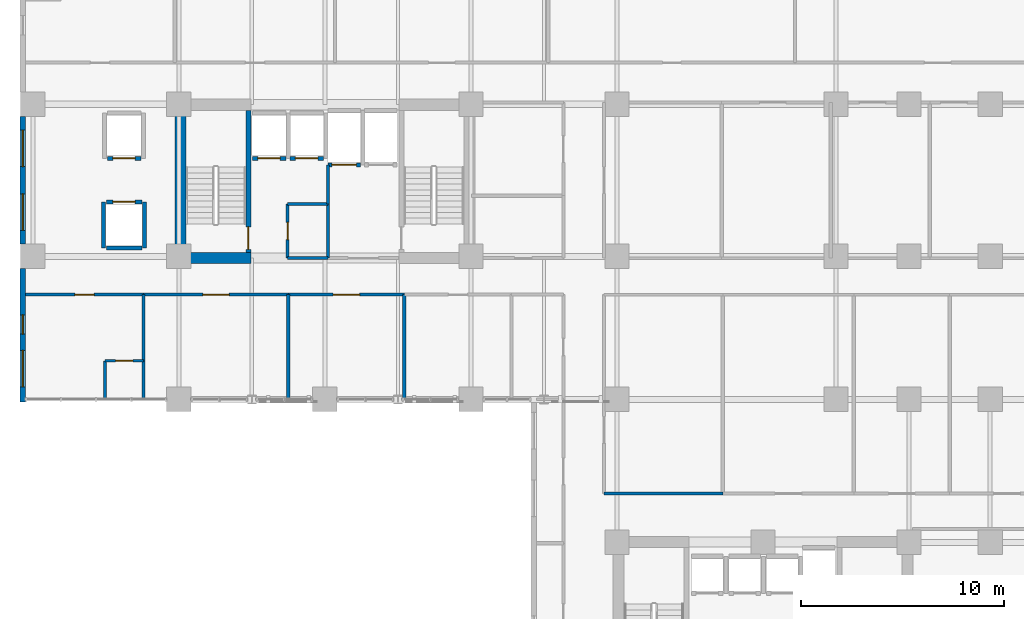
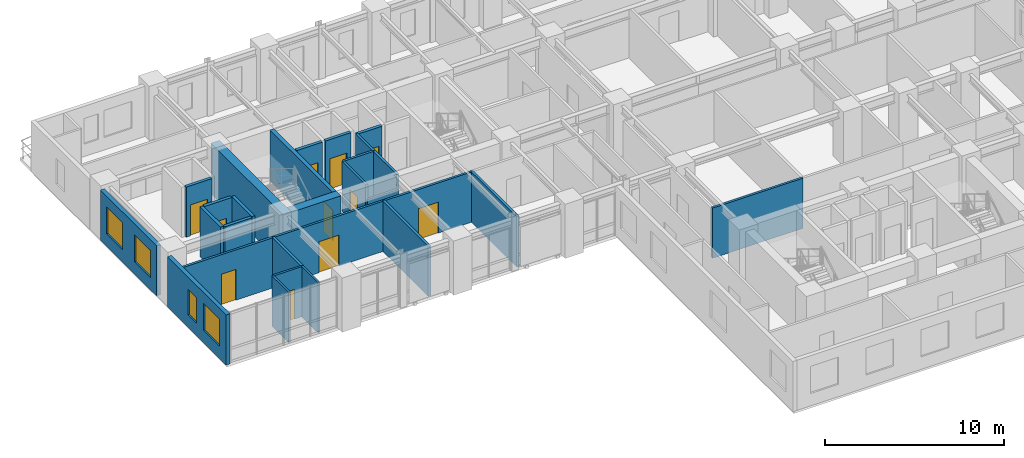
# One storey, part 8 of 16: 28 walls, 11 doors, 4 windows, 15 openings.
"""IFC4 building model written with IfcOpenShell, lengths in metres."""

from ifc_helpers import new_model, si_unit, direction, frame, frame_2d, origin, place, context, subcontext, project, spatial, rectangle, extrude, material, layer, layer_set, type_object, element, fill, save


model = new_model("IFC4")

# Units and contexts
model_context = context("Model", 3, precision=1e-05, world=origin(), true_north=direction((0.0, 1.0)))
body_context = subcontext(model_context, "Body", "Model", "MODEL_VIEW")
ifc_project = project(units=[si_unit("LENGTHUNIT", "METRE"), si_unit("AREAUNIT", "SQUARE_METRE"), si_unit("VOLUMEUNIT", "CUBIC_METRE"), si_unit("PLANEANGLEUNIT", "RADIAN"), si_unit("MASSUNIT", "GRAM", prefix="KILO")], contexts=[model_context])

# Site, building, storey
site_placement = place(None, origin())
site = spatial("IfcSite", under=ifc_project, at=site_placement, CompositionType="ELEMENT")
building_placement = place(site_placement, origin())
building = spatial("IfcBuilding", under=site, at=building_placement, Name="Kaliganga Portal Commons", CompositionType="ELEMENT")
storey_placement = place(building_placement, frame((0.0, 0.0, 97.10009765625)))
storey = spatial("IfcBuildingStorey", under=building, at=storey_placement, Name="L24", CompositionType="ELEMENT", Elevation=97.10009765625)

# Walls
ifc_material_1 = material(Name="Concrete C60/75", Category="concrete")
ifc_layer_1 = layer(ifc_material_1, 0.550048828125)
ifc_layer_set_1 = layer_set([ifc_layer_1], Name="Concrete C60/75")
wall_type_1 = type_object("IfcWallType", Name="WL-CORE-550", PredefinedType="SHEAR", material=ifc_layer_set_1)
wall_1_placement = place(storey_placement, frame((14.47509765625, 28.300048828125, 0.0), z_axis=(0.0, 0.0, 1.0), x_axis=(0.0, 1.0, 0.0)))
element("IfcWall", 1, at=wall_1_placement, inside=storey, type_object=wall_type_1, Name="Core A West Shear Wall L24", PredefinedType="SHEAR", context=body_context, shape_type="SweptSolid", body=[
    extrude(rectangle(XDim=8.099853515625, YDim=0.550048828125, at=frame_2d((4.0498046875, 0.0))), origin(), (0.0, 0.0, 1.0), 3.449951171875),
])
wall_2_placement = place(storey_placement, frame((14.75, 28.574951171875, 0.0), z_axis=(0.0, 0.0, 1.0), x_axis=(1.0, 0.0, 0.0)))
element("IfcWall", 2, at=wall_2_placement, inside=storey, type_object=wall_type_1, Name="Core A S-West Shear Wall L24", PredefinedType="SHEAR", context=body_context, shape_type="SweptSolid", body=[
    extrude(rectangle(XDim=3.199951171875, YDim=0.550048828125, at=frame_2d((1.60009765625, 0.0))), origin(), (0.0, 0.0, 1.0), 3.449951171875),
])

# Wall, openings, windows
ifc_material_2 = material(Name="Insulated Aluminium-Clad Spandrel Assembly", Category="aluminium")
ifc_layer_2 = layer(ifc_material_2, 0.260009765625)
ifc_layer_set_2 = layer_set([ifc_layer_2], Name="Insulated Aluminium-Clad Spandrel Assembly")
wall_type_2 = type_object("IfcWallType", Name="WL-EXT-SPAND-260", PredefinedType="STANDARD", material=ifc_layer_set_2)
wall_3_placement = place(storey_placement, frame((6.699951171875, 29.2509765625, 0.0), z_axis=(0.0, 0.0, 1.0), x_axis=(0.0, 1.0, 0.0)))
wall_3 = element("IfcWall", 3, at=wall_3_placement, inside=storey, type_object=wall_type_2, Name="Exterior Envelope Wall L24 P1-E03-S2", PredefinedType="STANDARD", context=body_context, shape_type="SweptSolid", body=[
    extrude(rectangle(XDim=6.298095703125, YDim=0.260009765625, at=frame_2d((3.14892578125, 0.0))), origin(), (0.0, 0.0, 1.0), 3.429931640625),
])
opening_1_placement = place(wall_3_placement, frame((0.674560546875, 0.0, 0.85009765625)))
opening_1 = element("IfcOpeningElement", 4, at=opening_1_placement, cuts=wall_3, Name="Opening W-01", PredefinedType="OPENING", context=body_context, shape_type="SweptSolid", body=[
    extrude(rectangle(XDim=1.800048828125, YDim=1.85009765625, at=frame_2d((0.89990234375, 0.925048828125))), frame((0.0, 0.14013671875, 0.0), z_axis=(0.0, -1.0, 0.0), x_axis=(1.0, 0.0, 0.0)), (0.0, 0.0, 1.0), 0.280029296875),
])
opening_2_placement = place(wall_3_placement, frame((3.823486328125, 0.0, 0.85009765625)))
opening_2 = element("IfcOpeningElement", 5, at=opening_2_placement, cuts=wall_3, Name="Opening W-01", PredefinedType="OPENING", context=body_context, shape_type="SweptSolid", body=[
    extrude(rectangle(XDim=1.800048828125, YDim=1.85009765625, at=frame_2d((0.89990234375, 0.925048828125))), frame((0.0, 0.14013671875, 0.0), z_axis=(0.0, -1.0, 0.0), x_axis=(1.0, 0.0, 0.0)), (0.0, 0.0, 1.0), 0.280029296875),
])
ifc_material_3 = material(Name="Thermally Broken Aluminium and Low-E Double Glazing", Category="aluminium")
window_type_1 = type_object("IfcWindowType", Name="WIN-STD-1800", PartitioningType="DOUBLE_PANEL_VERTICAL", PredefinedType="WINDOW", material=ifc_material_3)
window_1_placement = place(opening_1_placement, origin())
window_1 = element("IfcWindow", 6, at=window_1_placement, inside=storey, type_object=window_type_1, Name="Facade Window L24-P1E03S2-00", OverallHeight=1.85009765625, OverallWidth=1.800048828125, PartitioningType="SINGLE_PANEL", PredefinedType="WINDOW", context=body_context, shape_type="SweptSolid", body=[
    extrude(rectangle(XDim=1.800048828125, YDim=1.85009765625, at=frame_2d((0.89990234375, 0.925048828125))), frame((0.0, 0.030029296875, 0.0), z_axis=(0.0, -1.0, 0.0), x_axis=(1.0, 0.0, 0.0)), (0.0, 0.0, 1.0), 0.06005859375),
])
fill(opening_1, window_1)
window_2_placement = place(opening_2_placement, origin())
window_2 = element("IfcWindow", 7, at=window_2_placement, inside=storey, type_object=window_type_1, Name="Facade Window L24-P1E03S2-01", OverallHeight=1.85009765625, OverallWidth=1.800048828125, PartitioningType="SINGLE_PANEL", PredefinedType="WINDOW", context=body_context, shape_type="SweptSolid", body=[
    extrude(rectangle(XDim=1.800048828125, YDim=1.85009765625, at=frame_2d((0.89990234375, 0.925048828125))), frame((0.0, 0.030029296875, 0.0), z_axis=(0.0, -1.0, 0.0), x_axis=(1.0, 0.0, 0.0)), (0.0, 0.0, 1.0), 0.06005859375),
])
fill(opening_2, window_2)

wall_4_placement = place(storey_placement, frame((6.699951171875, 21.469970703125, 0.0), z_axis=(0.0, 0.0, 1.0), x_axis=(0.0, 1.0, 0.0)))
wall_4 = element("IfcWall", 8, at=wall_4_placement, inside=storey, type_object=wall_type_2, Name="Exterior Envelope Wall L24 P1-E03-S3", PredefinedType="STANDARD", context=body_context, shape_type="SweptSolid", body=[
    extrude(rectangle(XDim=6.5791015625, YDim=0.260009765625, at=frame_2d((3.28955078125, 0.0))), origin(), (0.0, 0.0, 1.0), 3.429931640625),
])
opening_3_placement = place(wall_4_placement, frame((0.744873046875, 0.0, 0.85009765625)))
opening_3 = element("IfcOpeningElement", 9, at=opening_3_placement, cuts=wall_4, Name="Opening W-01", PredefinedType="OPENING", context=body_context, shape_type="SweptSolid", body=[
    extrude(rectangle(XDim=1.800048828125, YDim=1.85009765625, at=frame_2d((0.89990234375, 0.925048828125))), frame((0.0, 0.14013671875, 0.0), z_axis=(0.0, -1.0, 0.0), x_axis=(1.0, 0.0, 0.0)), (0.0, 0.0, 1.0), 0.280029296875),
])
opening_4_placement = place(wall_4_placement, frame((3.3408203125, 0.0, 0.85009765625)))
opening_4 = element("IfcOpeningElement", 10, at=opening_4_placement, cuts=wall_4, Name="Opening W-04", PredefinedType="OPENING", context=body_context, shape_type="SweptSolid", body=[
    extrude(rectangle(XDim=0.949951171875, YDim=1.75, at=frame_2d((0.47509765625, 0.875))), frame((0.0, 0.14013671875, 0.0), z_axis=(0.0, -1.0, 0.0), x_axis=(1.0, 0.0, 0.0)), (0.0, 0.0, 1.0), 0.280029296875),
])
window_type_2 = type_object("IfcWindowType", Name="WIN-NARROW-950", PartitioningType="SINGLE_PANEL", PredefinedType="WINDOW", material=ifc_material_3)
window_3_placement = place(opening_4_placement, origin())
window_3 = element("IfcWindow", 11, at=window_3_placement, inside=storey, type_object=window_type_2, Name="Facade Window L24-P1E03S3-N6", OverallHeight=1.75, OverallWidth=0.949951171875, PartitioningType="SINGLE_PANEL", PredefinedType="WINDOW", context=body_context, shape_type="SweptSolid", body=[
    extrude(rectangle(XDim=0.949951171875, YDim=1.75, at=frame_2d((0.47509765625, 0.875))), frame((0.0, 0.030029296875, 0.0), z_axis=(0.0, -1.0, 0.0), x_axis=(1.0, 0.0, 0.0)), (0.0, 0.0, 1.0), 0.06005859375),
])
fill(opening_4, window_3)
window_4_placement = place(opening_3_placement, origin())
window_4 = element("IfcWindow", 12, at=window_4_placement, inside=storey, type_object=window_type_1, Name="Facade Window L24-P1E03S3-00", OverallHeight=1.85009765625, OverallWidth=1.800048828125, PartitioningType="SINGLE_PANEL", PredefinedType="WINDOW", context=body_context, shape_type="SweptSolid", body=[
    extrude(rectangle(XDim=1.800048828125, YDim=1.85009765625, at=frame_2d((0.89990234375, 0.925048828125))), frame((0.0, 0.030029296875, 0.0), z_axis=(0.0, -1.0, 0.0), x_axis=(1.0, 0.0, 0.0)), (0.0, 0.0, 1.0), 0.06005859375),
])
fill(opening_3, window_4)

# Wall, opening, door
ifc_material_4 = material(Name="Fire-Rated Gypsum Board on Steel Stud", Category="steel")
ifc_layer_3 = layer(ifc_material_4, 0.14990234375)
ifc_layer_set_3 = layer_set([ifc_layer_3], Name="Fire-Rated Gypsum Board on Steel Stud")
wall_type_3 = type_object("IfcWallType", Name="WL-PART-CORR-150", PredefinedType="PARTITIONING", material=ifc_layer_set_3)
wall_5_placement = place(storey_placement, frame((12.659912109375, 26.760009765625, 0.0), z_axis=(0.0, 0.0, 1.0), x_axis=(1.0, 0.0, 0.0)))
wall_5 = element("IfcWall", 13, at=wall_5_placement, inside=storey, type_object=wall_type_3, Name="Interior Partition L24-022", PredefinedType="PARTITIONING", context=body_context, shape_type="SweptSolid", body=[
    extrude(rectangle(XDim=7.14013671875, YDim=0.14990234375, at=frame_2d((3.570068359375, 0.0))), origin(), (0.0, 0.0, 1.0), 3.429931640625),
])
opening_5_placement = place(wall_5_placement, frame((2.919921875, 0.0, 0.0)))
opening_5 = element("IfcOpeningElement", 14, at=opening_5_placement, cuts=wall_5, Name="Opening RD-03", PredefinedType="OPENING", context=body_context, shape_type="SweptSolid", body=[
    extrude(rectangle(XDim=1.300048828125, YDim=2.1201171875, at=frame_2d((0.64990234375, 1.06005859375))), frame((0.0, 0.0849609375, 0.0), z_axis=(0.0, -1.0, 0.0), x_axis=(1.0, 0.0, 0.0)), (0.0, 0.0, 1.0), 0.169921875),
])
ifc_material_5 = material(Name="Glazed Timber Seminar Vision Door", Category="wood")
door_type_1 = type_object("IfcDoorType", Name="DR-STUDY-1300", OperationType="DOUBLE_DOOR_SINGLE_SWING", PredefinedType="DOOR", material=ifc_material_5)
door_1_placement = place(opening_5_placement, origin())
door_1 = element("IfcDoor", 15, at=door_1_placement, inside=storey, type_object=door_type_1, Name="Interior Door L24-AS02", OperationType="DOUBLE_DOOR_SINGLE_SWING", OverallHeight=2.1201171875, OverallWidth=1.300048828125, PredefinedType="DOOR", context=body_context, shape_type="SweptSolid", body=[
    extrude(rectangle(XDim=1.300048828125, YDim=2.1201171875, at=frame_2d((0.64990234375, 1.06005859375))), frame((0.0, 0.02490234375, 0.0), z_axis=(0.0, -1.0, 0.0), x_axis=(1.0, 0.0, 0.0)), (0.0, 0.0, 1.0), 0.050048828125),
])
fill(opening_5, door_1)

wall_6_placement = place(storey_placement, frame((6.83203125, 26.760009765625, 0.0), z_axis=(0.0, 0.0, 1.0), x_axis=(1.0, 0.0, 0.0)))
wall_6 = element("IfcWall", 16, at=wall_6_placement, inside=storey, type_object=wall_type_3, Name="Interior Partition L24-025", PredefinedType="PARTITIONING", context=body_context, shape_type="SweptSolid", body=[
    extrude(rectangle(XDim=5.827880859375, YDim=0.14990234375, at=frame_2d((2.9140625, 0.0))), origin(), (0.0, 0.0, 1.0), 3.429931640625),
])
opening_6_placement = place(wall_6_placement, frame((2.43896484375, 0.0, 0.0)))
opening_6 = element("IfcOpeningElement", 17, at=opening_6_placement, cuts=wall_6, Name="Opening UD-01", PredefinedType="OPENING", context=body_context, shape_type="SweptSolid", body=[
    extrude(rectangle(XDim=0.949951171875, YDim=2.10009765625, at=frame_2d((0.47509765625, 1.050048828125))), frame((0.0, 0.0849609375, 0.0), z_axis=(0.0, -1.0, 0.0), x_axis=(1.0, 0.0, 0.0)), (0.0, 0.0, 1.0), 0.169921875),
])
ifc_material_6 = material(Name="Solid-Core Timber Acoustic Fire Door", Category="wood")
door_type_2 = type_object("IfcDoorType", Name="DR-UNIT-950", OperationType="NOTDEFINED", PredefinedType="DOOR", material=ifc_material_6)
door_2_placement = place(opening_6_placement, origin())
door_2 = element("IfcDoor", 18, at=door_2_placement, inside=storey, type_object=door_type_2, Name="Interior Door L24-AS01", OperationType="SINGLE_SWING_LEFT", OverallHeight=2.10009765625, OverallWidth=0.949951171875, PredefinedType="DOOR", context=body_context, shape_type="SweptSolid", body=[
    extrude(rectangle(XDim=0.949951171875, YDim=2.10009765625, at=frame_2d((0.47509765625, 1.050048828125))), frame((0.0, 0.02490234375, 0.0), z_axis=(0.0, -1.0, 0.0), x_axis=(1.0, 0.0, 0.0)), (0.0, 0.0, 1.0), 0.050048828125),
])
fill(opening_6, door_2)

# Wall
wall_7_placement = place(storey_placement, frame((35.360107421875, 16.9599609375, 0.0), z_axis=(0.0, 0.0, 1.0), x_axis=(1.0, 0.0, 0.0)))
element("IfcWall", 19, at=wall_7_placement, inside=storey, type_object=wall_type_3, Name="Interior Partition L24-026", PredefinedType="PARTITIONING", context=body_context, shape_type="SweptSolid", body=[
    extrude(rectangle(XDim=5.85986328125, YDim=0.14990234375, at=frame_2d((2.929931640625, 0.0))), origin(), (0.0, 0.0, 1.0), 3.429931640625),
])

# Wall, opening, door
wall_8_placement = place(storey_placement, frame((19.800048828125, 26.760009765625, 0.0), z_axis=(0.0, 0.0, 1.0), x_axis=(1.0, 0.0, 0.0)))
wall_8 = element("IfcWall", 20, at=wall_8_placement, inside=storey, type_object=wall_type_3, Name="Interior Partition L24-028", PredefinedType="PARTITIONING", context=body_context, shape_type="SweptSolid", body=[
    extrude(rectangle(XDim=5.719970703125, YDim=0.14990234375, at=frame_2d((2.85986328125, 0.0))), origin(), (0.0, 0.0, 1.0), 3.429931640625),
])
opening_7_placement = place(wall_8_placement, frame((2.2099609375, 0.0, 0.0)))
opening_7 = element("IfcOpeningElement", 21, at=opening_7_placement, cuts=wall_8, Name="Opening RD-03", PredefinedType="OPENING", context=body_context, shape_type="SweptSolid", body=[
    extrude(rectangle(XDim=1.300048828125, YDim=2.1201171875, at=frame_2d((0.64990234375, 1.06005859375))), frame((0.0, 0.0849609375, 0.0), z_axis=(0.0, -1.0, 0.0), x_axis=(1.0, 0.0, 0.0)), (0.0, 0.0, 1.0), 0.169921875),
])
door_3_placement = place(opening_7_placement, origin())
door_3 = element("IfcDoor", 22, at=door_3_placement, inside=storey, type_object=door_type_1, Name="Interior Door L24-AS03", OperationType="DOUBLE_DOOR_SINGLE_SWING", OverallHeight=2.1201171875, OverallWidth=1.300048828125, PredefinedType="DOOR", context=body_context, shape_type="SweptSolid", body=[
    extrude(rectangle(XDim=1.300048828125, YDim=2.1201171875, at=frame_2d((0.64990234375, 1.06005859375))), frame((0.0, 0.02490234375, 0.0), z_axis=(0.0, -1.0, 0.0), x_axis=(1.0, 0.0, 0.0)), (0.0, 0.0, 1.0), 0.050048828125),
])
fill(opening_7, door_3)

wall_9_placement = place(storey_placement, frame((19.760009765625, 28.56005859375, 0.0), z_axis=(0.0, 0.0, 1.0), x_axis=(0.0, 1.0, 0.0)))
wall_9 = element("IfcWall", 23, at=wall_9_placement, inside=storey, type_object=wall_type_3, Name="Interior Partition L24-040", PredefinedType="PARTITIONING", context=body_context, shape_type="SweptSolid", body=[
    extrude(rectangle(XDim=2.679931640625, YDim=0.14990234375, at=frame_2d((1.33984375, 0.0))), origin(), (0.0, 0.0, 1.0), 3.429931640625),
])
opening_8_placement = place(wall_9_placement, frame((0.909912109375, 0.0, 0.0)))
opening_8 = element("IfcOpeningElement", 24, at=opening_8_placement, cuts=wall_9, Name="Opening WD-02", PredefinedType="OPENING", context=body_context, shape_type="SweptSolid", body=[
    extrude(rectangle(XDim=0.860107421875, YDim=2.02001953125, at=frame_2d((0.43017578125, 1.010009765625))), frame((0.0, 0.0849609375, 0.0), z_axis=(0.0, -1.0, 0.0), x_axis=(1.0, 0.0, 0.0)), (0.0, 0.0, 1.0), 0.169921875),
])
ifc_material_7 = material(Name="Fire-Rated Utility Closet Door", Category="wood")
door_type_3 = type_object("IfcDoorType", Name="DR-STORE-800", OperationType="NOTDEFINED", PredefinedType="DOOR", material=ifc_material_7)
door_4_placement = place(opening_8_placement, origin())
door_4 = element("IfcDoor", 25, at=door_4_placement, inside=storey, type_object=door_type_3, Name="Interior Door L24-CIN_A1", OperationType="SINGLE_SWING_LEFT", OverallHeight=2.02001953125, OverallWidth=0.860107421875, PredefinedType="DOOR", context=body_context, shape_type="SweptSolid", body=[
    extrude(rectangle(XDim=0.860107421875, YDim=2.02001953125, at=frame_2d((0.43017578125, 1.010009765625))), frame((0.0, 0.02490234375, 0.0), z_axis=(0.0, -1.0, 0.0), x_axis=(1.0, 0.0, 0.0)), (0.0, 0.0, 1.0), 0.050048828125),
])
fill(opening_8, door_4)

# Walls
wall_10_placement = place(storey_placement, frame((21.760009765625, 28.56005859375, 0.0), z_axis=(0.0, 0.0, 1.0), x_axis=(0.0, 1.0, 0.0)))
element("IfcWall", 26, at=wall_10_placement, inside=storey, type_object=wall_type_3, Name="Interior Partition L24-041", PredefinedType="PARTITIONING", context=body_context, shape_type="SweptSolid", body=[
    extrude(rectangle(XDim=2.679931640625, YDim=0.14990234375, at=frame_2d((1.33984375, 0.0))), origin(), (0.0, 0.0, 1.0), 3.429931640625),
])
wall_11_placement = place(storey_placement, frame((19.760009765625, 28.56005859375, 0.0), z_axis=(0.0, 0.0, 1.0), x_axis=(1.0, 0.0, 0.0)))
element("IfcWall", 27, at=wall_11_placement, inside=storey, type_object=wall_type_3, Name="Interior Partition L24-044", PredefinedType="PARTITIONING", context=body_context, shape_type="SweptSolid", body=[
    extrude(rectangle(XDim=2.0, YDim=0.14990234375, at=frame_2d((1.0, 0.0))), origin(), (0.0, 0.0, 1.0), 2.429931640625),
])
wall_12_placement = place(storey_placement, frame((19.760009765625, 31.239990234375, 0.0), z_axis=(0.0, 0.0, 1.0), x_axis=(1.0, 0.0, 0.0)))
element("IfcWall", 28, at=wall_12_placement, inside=storey, type_object=wall_type_3, Name="Interior Partition L24-045", PredefinedType="PARTITIONING", context=body_context, shape_type="SweptSolid", body=[
    extrude(rectangle(XDim=2.0, YDim=0.14990234375, at=frame_2d((1.0, 0.0))), origin(), (0.0, 0.0, 1.0), 3.429931640625),
])
wall_13_placement = place(storey_placement, frame((21.760009765625, 31.239990234375, 0.0), z_axis=(0.0, 0.0, 1.0), x_axis=(0.0, 1.0, 0.0)))
element("IfcWall", 29, at=wall_13_placement, inside=storey, type_object=wall_type_3, Name="Interior Partition L24-079", PredefinedType="PARTITIONING", context=body_context, shape_type="SweptSolid", body=[
    extrude(rectangle(XDim=1.919921875, YDim=0.14990234375, at=frame_2d((0.9599609375, 0.0))), origin(), (0.0, 0.0, 1.0), 3.429931640625),
])
ifc_material_8 = material(Name="Twin-Stud Acoustic Gypsum Partition", Category="gypsum")
ifc_layer_4 = layer(ifc_material_8, 0.1650390625)
ifc_layer_set_4 = layer_set([ifc_layer_4], Name="Twin-Stud Acoustic Gypsum Partition")
wall_type_4 = type_object("IfcWallType", Name="WL-PART-UNIT-165", PredefinedType="PARTITIONING", material=ifc_layer_set_4)
for number, where, z_axis, x_axis, name in (
    (30, (19.800048828125, 21.6201171875, 0.0), (0.0, 0.0, 1.0), (0.0, 1.0, 0.0), "Interior Partition L24-062"),
    (31, (25.52001953125, 21.6201171875, 0.0), (0.0, 0.0, 1.0), (0.0, 1.0, 0.0), "Interior Partition L24-063"),
):
    element("IfcWall", number, at=place(storey_placement, frame(where, z_axis=z_axis, x_axis=x_axis)), inside=storey, type_object=wall_type_4, Name=name, PredefinedType="PARTITIONING", context=body_context, shape_type="SweptSolid", body=[
        extrude(rectangle(XDim=5.139892578125, YDim=0.1650390625, at=frame_2d((2.56982421875, 0.0))), origin(), (0.0, 0.0, 1.0), 3.429931640625),
    ])
wall_14_placement = place(storey_placement, frame((12.659912109375, 23.5, 0.0), z_axis=(0.0, 0.0, 1.0), x_axis=(0.0, 1.0, 0.0)))
element("IfcWall", 32, at=wall_14_placement, inside=storey, type_object=wall_type_4, Name="Interior Partition L24-075", PredefinedType="PARTITIONING", context=body_context, shape_type="SweptSolid", body=[
    extrude(rectangle(XDim=3.260009765625, YDim=0.1650390625, at=frame_2d((1.6298828125, 0.0))), origin(), (0.0, 0.0, 1.0), 3.429931640625),
])

# Wall, opening, door
ifc_material_9 = material(Name="Cement-Board Wet-Room Partition", Category="gypsum")
ifc_layer_5 = layer(ifc_material_9, 0.135009765625)
ifc_layer_set_5 = layer_set([ifc_layer_5], Name="Cement-Board Wet-Room Partition")
wall_type_5 = type_object("IfcWallType", Name="WL-PART-WET-135", PredefinedType="PARTITIONING", material=ifc_layer_set_5)
wall_15_placement = place(storey_placement, frame((10.760009765625, 23.5, 0.0), z_axis=(0.0, 0.0, 1.0), x_axis=(1.0, 0.0, 0.0)))
wall_15 = element("IfcWall", 33, at=wall_15_placement, inside=storey, type_object=wall_type_5, Name="Interior Partition L24-002", PredefinedType="PARTITIONING", context=body_context, shape_type="SweptSolid", body=[
    extrude(rectangle(XDim=1.89990234375, YDim=0.135009765625, at=frame_2d((0.949951171875, 0.0))), origin(), (0.0, 0.0, 1.0), 3.429931640625),
])
opening_9_placement = place(wall_15_placement, frame((0.52490234375, 0.0, 0.0)))
opening_9 = element("IfcOpeningElement", 34, at=opening_9_placement, cuts=wall_15, Name="Opening WD-01", PredefinedType="OPENING", context=body_context, shape_type="SweptSolid", body=[
    extrude(rectangle(XDim=0.85009765625, YDim=2.0400390625, at=frame_2d((0.425048828125, 1.02001953125))), frame((0.0, 0.07763671875, 0.0), z_axis=(0.0, -1.0, 0.0), x_axis=(1.0, 0.0, 0.0)), (0.0, 0.0, 1.0), 0.155029296875),
])
ifc_material_10 = material(Name="Moisture-Resistant Laminate Timber Door", Category="wood")
door_type_4 = type_object("IfcDoorType", Name="DR-WET-850", OperationType="NOTDEFINED", PredefinedType="DOOR", material=ifc_material_10)
door_5_placement = place(opening_9_placement, origin())
door_5 = element("IfcDoor", 35, at=door_5_placement, inside=storey, type_object=door_type_4, Name="Interior Door L24-AS01E", OperationType="SINGLE_SWING_RIGHT", OverallHeight=2.0400390625, OverallWidth=0.85009765625, PredefinedType="DOOR", context=body_context, shape_type="SweptSolid", body=[
    extrude(rectangle(XDim=0.85009765625, YDim=2.0400390625, at=frame_2d((0.425048828125, 1.02001953125))), frame((0.0, 0.02490234375, 0.0), z_axis=(0.0, -1.0, 0.0), x_axis=(1.0, 0.0, 0.0)), (0.0, 0.0, 1.0), 0.050048828125),
])
fill(opening_9, door_5)

# Walls
for number, where, z_axis, x_axis, name in (
    (36, (10.760009765625, 21.6201171875, 0.0), (0.0, 0.0, 1.0), (0.0, 1.0, 0.0), "Interior Partition L24-004"),
    (37, (12.659912109375, 21.6201171875, 0.0), (0.0, 0.0, 1.0), (0.0, 1.0, 0.0), "Interior Partition L24-005"),
):
    element("IfcWall", number, at=place(storey_placement, frame(where, z_axis=z_axis, x_axis=x_axis)), inside=storey, type_object=wall_type_5, Name=name, PredefinedType="PARTITIONING", context=body_context, shape_type="SweptSolid", body=[
        extrude(rectangle(XDim=1.8798828125, YDim=0.135009765625, at=frame_2d((0.93994140625, 0.0))), origin(), (0.0, 0.0, 1.0), 3.429931640625),
    ])

# Wall, opening, door
ifc_material_11 = material(Name="Fire-Rated Shaftwall Masonry Assembly", Category="masonry")
ifc_layer_6 = layer(ifc_material_11, 0.199951171875)
ifc_layer_set_6 = layer_set([ifc_layer_6], Name="Fire-Rated Shaftwall Masonry Assembly")
wall_type_6 = type_object("IfcWallType", Name="WL-SHAFT-200", PredefinedType="PARTITIONING", material=ifc_layer_set_6)
wall_16_placement = place(storey_placement, frame((18.02490234375, 33.485107421875, 0.0), z_axis=(0.0, 0.0, 1.0), x_axis=(1.0, 0.0, 0.0)))
wall_16 = element("IfcWall", 38, at=wall_16_placement, inside=storey, type_object=wall_type_6, Name="Lift PL-A1 Hoistway Shaft Wall L24-S", PredefinedType="PARTITIONING", context=body_context, shape_type="SweptSolid", body=[
    extrude(rectangle(XDim=1.650146484375, YDim=0.199951171875, at=frame_2d((0.8251953125, 0.0))), origin(), (0.0, 0.0, 1.0), 3.429931640625),
])
opening_10_placement = place(wall_16_placement, frame((0.27490234375, 0.0, 0.0)))
opening_10 = element("IfcOpeningElement", 39, at=opening_10_placement, cuts=wall_16, Name="Opening LD-01", PredefinedType="OPENING", context=body_context, shape_type="SweptSolid", body=[
    extrude(rectangle(XDim=1.10009765625, YDim=2.1201171875, at=frame_2d((0.550048828125, 1.06005859375))), frame((0.0, 0.10986328125, 0.0), z_axis=(0.0, -1.0, 0.0), x_axis=(1.0, 0.0, 0.0)), (0.0, 0.0, 1.0), 0.219970703125),
])
ifc_material_12 = material(Name="Brushed Stainless Steel 316 Lift Landing Door", Category="steel")
door_type_5 = type_object("IfcDoorType", Name="DR-LIFT-1100", OperationType="SLIDING_TO_LEFT", PredefinedType="DOOR", material=ifc_material_12)
door_6_placement = place(opening_10_placement, origin())
door_6 = element("IfcDoor", 40, at=door_6_placement, inside=storey, type_object=door_type_5, Name="Lift PL-A1 Sliding Landing Door L24", OperationType="SLIDING_TO_LEFT", OverallHeight=2.1201171875, OverallWidth=1.10009765625, PredefinedType="DOOR", context=body_context, shape_type="SweptSolid", body=[
    extrude(rectangle(XDim=1.10009765625, YDim=2.1201171875, at=frame_2d((0.550048828125, 1.06005859375))), frame((0.0, 0.02490234375, 0.0), z_axis=(0.0, -1.0, 0.0), x_axis=(1.0, 0.0, 0.0)), (0.0, 0.0, 1.0), 0.050048828125),
])
fill(opening_10, door_6)

wall_17_placement = place(storey_placement, frame((19.875, 33.485107421875, 0.0), z_axis=(0.0, 0.0, 1.0), x_axis=(1.0, 0.0, 0.0)))
wall_17 = element("IfcWall", 41, at=wall_17_placement, inside=storey, type_object=wall_type_6, Name="Lift PL-A2 Hoistway Shaft Wall L24-S", PredefinedType="PARTITIONING", context=body_context, shape_type="SweptSolid", body=[
    extrude(rectangle(XDim=1.64990234375, YDim=0.199951171875, at=frame_2d((0.824951171875, 0.0))), origin(), (0.0, 0.0, 1.0), 3.429931640625),
])
opening_11_placement = place(wall_17_placement, frame((0.27490234375, 0.0, 0.0)))
opening_11 = element("IfcOpeningElement", 42, at=opening_11_placement, cuts=wall_17, Name="Opening LD-01", PredefinedType="OPENING", context=body_context, shape_type="SweptSolid", body=[
    extrude(rectangle(XDim=1.10009765625, YDim=2.1201171875, at=frame_2d((0.550048828125, 1.06005859375))), frame((0.0, 0.10986328125, 0.0), z_axis=(0.0, -1.0, 0.0), x_axis=(1.0, 0.0, 0.0)), (0.0, 0.0, 1.0), 0.219970703125),
])
door_7_placement = place(opening_11_placement, origin())
door_7 = element("IfcDoor", 43, at=door_7_placement, inside=storey, type_object=door_type_5, Name="Lift PL-A2 Sliding Landing Door L24", OperationType="SLIDING_TO_LEFT", OverallHeight=2.1201171875, OverallWidth=1.10009765625, PredefinedType="DOOR", context=body_context, shape_type="SweptSolid", body=[
    extrude(rectangle(XDim=1.10009765625, YDim=2.1201171875, at=frame_2d((0.550048828125, 1.06005859375))), frame((0.0, 0.02490234375, 0.0), z_axis=(0.0, -1.0, 0.0), x_axis=(1.0, 0.0, 0.0)), (0.0, 0.0, 1.0), 0.050048828125),
])
fill(opening_11, door_7)

# Wall
wall_18_placement = place(storey_placement, frame((10.824951171875, 29.06005859375, 0.0), z_axis=(0.0, 0.0, 1.0), x_axis=(1.0, 0.0, 0.0)))
element("IfcWall", 44, at=wall_18_placement, inside=storey, type_object=wall_type_6, Name="Lift SH-1 Hoistway Shaft Wall L24-S", PredefinedType="PARTITIONING", context=body_context, shape_type="SweptSolid", body=[
    extrude(rectangle(XDim=1.75, YDim=0.199951171875, at=frame_2d((0.875, 0.0))), origin(), (0.0, 0.0, 1.0), 3.429931640625),
])

# Wall, opening, door
wall_19_placement = place(storey_placement, frame((10.824951171875, 31.340087890625, 0.0), z_axis=(0.0, 0.0, 1.0), x_axis=(1.0, 0.0, 0.0)))
wall_19 = element("IfcWall", 45, at=wall_19_placement, inside=storey, type_object=wall_type_6, Name="Lift SH-1 Hoistway Shaft Wall L24-N", PredefinedType="PARTITIONING", context=body_context, shape_type="SweptSolid", body=[
    extrude(rectangle(XDim=1.75, YDim=0.199951171875, at=frame_2d((0.875, 0.0))), origin(), (0.0, 0.0, 1.0), 3.429931640625),
])
opening_12_placement = place(wall_19_placement, frame((0.324951171875, 0.0, 0.0)))
opening_12 = element("IfcOpeningElement", 46, at=opening_12_placement, cuts=wall_19, Name="Opening LD-01", PredefinedType="OPENING", context=body_context, shape_type="SweptSolid", body=[
    extrude(rectangle(XDim=1.10009765625, YDim=2.1201171875, at=frame_2d((0.550048828125, 1.06005859375))), frame((0.0, 0.10986328125, 0.0), z_axis=(0.0, -1.0, 0.0), x_axis=(1.0, 0.0, 0.0)), (0.0, 0.0, 1.0), 0.219970703125),
])
door_8_placement = place(opening_12_placement, origin())
door_8 = element("IfcDoor", 47, at=door_8_placement, inside=storey, type_object=door_type_5, Name="Lift SH-1 Sliding Landing Door L24", OperationType="SLIDING_TO_LEFT", OverallHeight=2.1201171875, OverallWidth=1.10009765625, PredefinedType="DOOR", context=body_context, shape_type="SweptSolid", body=[
    extrude(rectangle(XDim=1.10009765625, YDim=2.1201171875, at=frame_2d((0.550048828125, 1.06005859375))), frame((0.0, 0.02490234375, 0.0), z_axis=(0.0, -1.0, 0.0), x_axis=(1.0, 0.0, 0.0)), (0.0, 0.0, 1.0), 0.050048828125),
])
fill(opening_12, door_8)

# Walls
for number, where, z_axis, x_axis, name in (
    (48, (10.68505859375, 29.06005859375, 0.0), (0.0, 0.0, 1.0), (0.0, 1.0, 0.0), "Lift SH-1 Hoistway Shaft Wall L24-W"),
    (49, (12.715087890625, 29.06005859375, 0.0), (0.0, 0.0, 1.0), (0.0, 1.0, 0.0), "Lift SH-1 Hoistway Shaft Wall L24-E"),
):
    element("IfcWall", number, at=place(storey_placement, frame(where, z_axis=z_axis, x_axis=x_axis)), inside=storey, type_object=wall_type_6, Name=name, PredefinedType="PARTITIONING", context=body_context, shape_type="SweptSolid", body=[
        extrude(rectangle(XDim=2.280029296875, YDim=0.199951171875, at=frame_2d((1.14013671875, 0.0))), origin(), (0.0, 0.0, 1.0), 3.429931640625),
    ])

# Wall, opening, door
wall_20_placement = place(storey_placement, frame((10.875, 33.485107421875, 0.0), z_axis=(0.0, 0.0, 1.0), x_axis=(1.0, 0.0, 0.0)))
wall_20 = element("IfcWall", 50, at=wall_20_placement, inside=storey, type_object=wall_type_6, Name="Lift PL-OBS Hoistway Shaft Wall L24-S", PredefinedType="PARTITIONING", context=body_context, shape_type="SweptSolid", body=[
    extrude(rectangle(XDim=1.64990234375, YDim=0.199951171875, at=frame_2d((0.824951171875, 0.0))), origin(), (0.0, 0.0, 1.0), 3.429931640625),
])
opening_13_placement = place(wall_20_placement, frame((0.27490234375, 0.0, 0.0)))
opening_13 = element("IfcOpeningElement", 51, at=opening_13_placement, cuts=wall_20, Name="Opening LD-01", PredefinedType="OPENING", context=body_context, shape_type="SweptSolid", body=[
    extrude(rectangle(XDim=1.10009765625, YDim=2.1201171875, at=frame_2d((0.550048828125, 1.06005859375))), frame((0.0, 0.10986328125, 0.0), z_axis=(0.0, -1.0, 0.0), x_axis=(1.0, 0.0, 0.0)), (0.0, 0.0, 1.0), 0.219970703125),
])
door_9_placement = place(opening_13_placement, origin())
door_9 = element("IfcDoor", 52, at=door_9_placement, inside=storey, type_object=door_type_5, Name="Lift PL-OBS Sliding Landing Door L24", OperationType="SLIDING_TO_LEFT", OverallHeight=2.1201171875, OverallWidth=1.10009765625, PredefinedType="DOOR", context=body_context, shape_type="SweptSolid", body=[
    extrude(rectangle(XDim=1.10009765625, YDim=2.1201171875, at=frame_2d((0.550048828125, 1.06005859375))), frame((0.0, 0.02490234375, 0.0), z_axis=(0.0, -1.0, 0.0), x_axis=(1.0, 0.0, 0.0)), (0.0, 0.0, 1.0), 0.050048828125),
])
fill(opening_13, door_9)

wall_21_placement = place(storey_placement, frame((21.75, 33.159912109375, 0.0), z_axis=(0.0, 0.0, 1.0), x_axis=(1.0, 0.0, 0.0)))
wall_21 = element("IfcWall", 53, at=wall_21_placement, inside=storey, type_object=wall_type_6, Name="Lift FFL-1 Hoistway Shaft Wall L24-S", PredefinedType="PARTITIONING", context=body_context, shape_type="SweptSolid", body=[
    extrude(rectangle(XDim=1.60009765625, YDim=0.199951171875, at=frame_2d((0.800048828125, 0.0))), origin(), (0.0, 0.0, 1.0), 3.429931640625),
])
opening_14_placement = place(wall_21_placement, frame((0.199951171875, 0.0, 0.0)))
opening_14 = element("IfcOpeningElement", 54, at=opening_14_placement, cuts=wall_21, Name="Opening LD-02", PredefinedType="OPENING", context=body_context, shape_type="SweptSolid", body=[
    extrude(rectangle(XDim=1.199951171875, YDim=2.1201171875, at=frame_2d((0.60009765625, 1.06005859375))), frame((0.0, 0.10986328125, 0.0), z_axis=(0.0, -1.0, 0.0), x_axis=(1.0, 0.0, 0.0)), (0.0, 0.0, 1.0), 0.219970703125),
])
ifc_material_13 = material(Name="Brushed Stainless Steel 316 Stretcher Lift Landing Door", Category="steel")
door_type_6 = type_object("IfcDoorType", Name="DR-LIFT-1200", OperationType="SLIDING_TO_RIGHT", PredefinedType="DOOR", material=ifc_material_13)
door_10_placement = place(opening_14_placement, origin())
door_10 = element("IfcDoor", 55, at=door_10_placement, inside=storey, type_object=door_type_6, Name="Lift FFL-1 Sliding Landing Door L24", OperationType="SLIDING_TO_RIGHT", OverallHeight=2.1201171875, OverallWidth=1.199951171875, PredefinedType="DOOR", context=body_context, shape_type="SweptSolid", body=[
    extrude(rectangle(XDim=1.199951171875, YDim=2.1201171875, at=frame_2d((0.60009765625, 1.06005859375))), frame((0.0, 0.02490234375, 0.0), z_axis=(0.0, -1.0, 0.0), x_axis=(1.0, 0.0, 0.0)), (0.0, 0.0, 1.0), 0.050048828125),
])
fill(opening_14, door_10)

ifc_material_14 = material(Name="Concrete C50/60", Category="concrete")
ifc_layer_7 = layer(ifc_material_14, 0.25)
ifc_layer_set_7 = layer_set([ifc_layer_7], Name="Concrete C50/60")
wall_type_7 = type_object("IfcWallType", Name="WL-STAIR-250", PredefinedType="SHEAR", material=ifc_layer_set_7)
wall_22_placement = place(storey_placement, frame((17.824951171875, 28.85009765625, 0.0), z_axis=(0.0, 0.0, 1.0), x_axis=(0.0, 1.0, 0.0)))
wall_22 = element("IfcWall", 56, at=wall_22_placement, inside=storey, type_object=wall_type_7, Name="Stair A1 Enclosure Shear Wall L24", PredefinedType="SHEAR", context=body_context, shape_type="SweptSolid", body=[
    extrude(rectangle(XDim=7.0, YDim=0.25, at=frame_2d((3.5, 0.0))), origin(), (0.0, 0.0, 1.0), 3.449951171875),
])
opening_15_placement = place(wall_22_placement, frame((0.14990234375, 0.0, 0.0)))
opening_15 = element("IfcOpeningElement", 57, at=opening_15_placement, cuts=wall_22, Name="Opening SD-01", PredefinedType="OPENING", context=body_context, shape_type="SweptSolid", body=[
    extrude(rectangle(XDim=1.10009765625, YDim=2.080078125, at=frame_2d((0.550048828125, 1.0400390625))), frame((0.0, 0.135009765625, 0.0), z_axis=(0.0, -1.0, 0.0), x_axis=(1.0, 0.0, 0.0)), (0.0, 0.0, 1.0), 0.27001953125),
])
ifc_material_15 = material(Name="Galvanized Steel Fire Door Leaf and Frame", Category="steel")
door_type_7 = type_object("IfcDoorType", Name="DR-STAIR-1100", OperationType="NOTDEFINED", PredefinedType="DOOR", material=ifc_material_15)
door_11_placement = place(opening_15_placement, origin())
door_11 = element("IfcDoor", 58, at=door_11_placement, inside=storey, type_object=door_type_7, Name="Protected Stair ST-A1 Fire Door L24", OperationType="SINGLE_SWING_RIGHT", OverallHeight=2.080078125, OverallWidth=1.10009765625, PredefinedType="DOOR", context=body_context, shape_type="SweptSolid", body=[
    extrude(rectangle(XDim=1.10009765625, YDim=2.080078125, at=frame_2d((0.550048828125, 1.0400390625))), frame((0.0, 0.02490234375, 0.0), z_axis=(0.0, -1.0, 0.0), x_axis=(1.0, 0.0, 0.0)), (0.0, 0.0, 1.0), 0.050048828125),
])
fill(opening_15, door_11)

save(model, "model.ifc")
